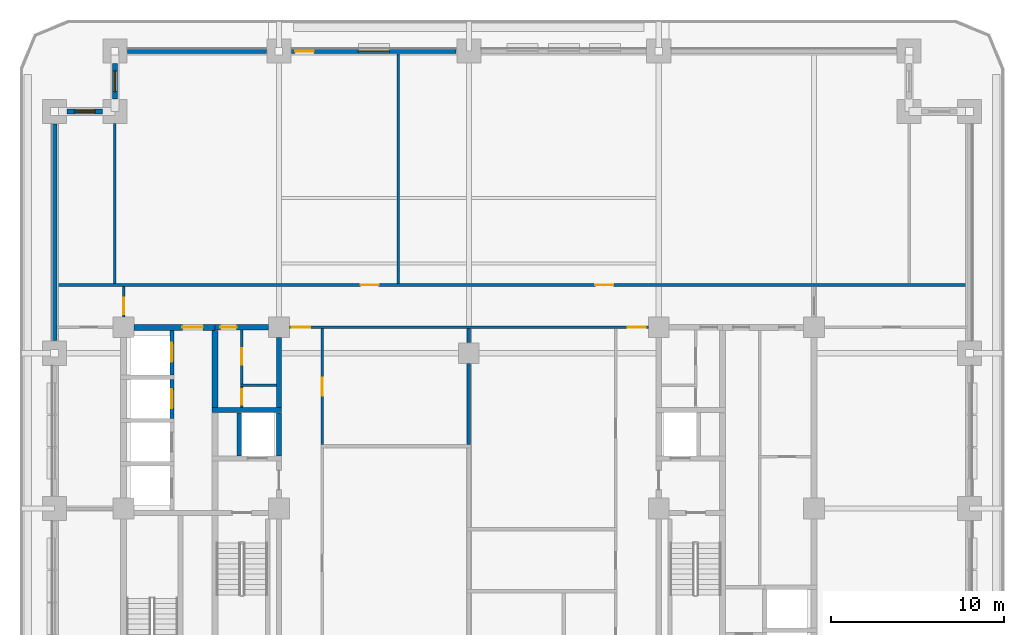
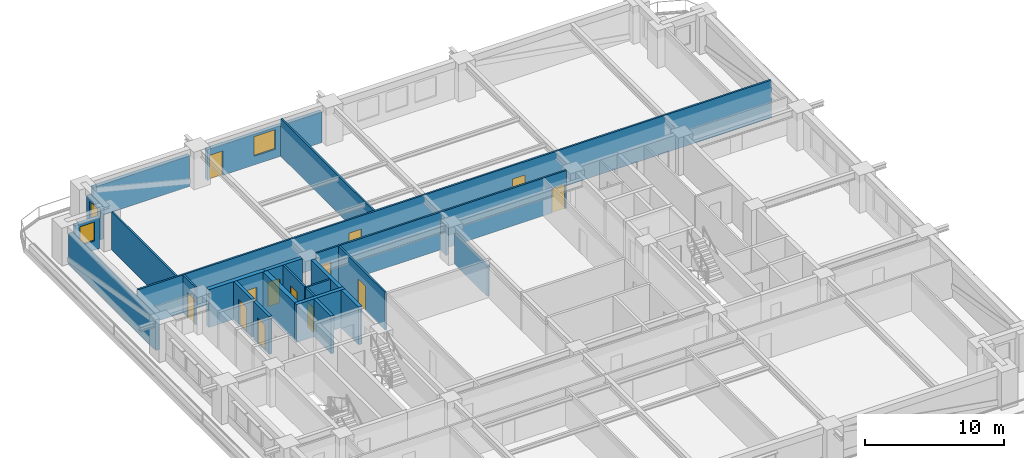
# One storey, part 5 of 14: 25 walls, 13 doors, 3 windows, 16 openings.
"""IFC4 building model written with IfcOpenShell, lengths in metres."""

from ifc_helpers import new_model, si_unit, direction, frame, frame_2d, origin, place, context, subcontext, project, spatial, rectangle, extrude, material, layer, layer_set, type_object, element, fill, save


model = new_model("IFC4")

# Units and contexts
model_context = context("Model", 3, precision=1e-05, world=origin(), true_north=direction((0.0, 1.0)))
body_context = subcontext(model_context, "Body", "Model", "MODEL_VIEW")
ifc_project = project(units=[si_unit("LENGTHUNIT", "METRE"), si_unit("AREAUNIT", "SQUARE_METRE"), si_unit("VOLUMEUNIT", "CUBIC_METRE"), si_unit("PLANEANGLEUNIT", "RADIAN"), si_unit("MASSUNIT", "GRAM", prefix="KILO")], contexts=[model_context])

# Site, building, storey
site_placement = place(None, origin())
site = spatial("IfcSite", under=ifc_project, at=site_placement, CompositionType="ELEMENT")
building_placement = place(site_placement, origin())
building = spatial("IfcBuilding", under=site, at=building_placement, Name="Zulmaris Gate Convention Tower", CompositionType="ELEMENT")
storey_placement = place(building_placement, frame((0.0, 0.0, 41.47998046875)))
storey = spatial("IfcBuildingStorey", under=building, at=storey_placement, Name="L09", CompositionType="ELEMENT", Elevation=41.47998046875)

# Wall, opening, door
ifc_material_1 = material(Name="Concrete C50/60", Category="concrete")
ifc_layer_1 = layer(ifc_material_1, 0.25, Name="Concrete C50/60")
ifc_layer_set_1 = layer_set([ifc_layer_1], Name="Concrete C50/60")
wall_type_1 = type_object("IfcWallType", Name="CORE-250", PredefinedType="SOLIDWALL", material=ifc_layer_set_1)
wall_1_placement = place(storey_placement, frame((-17.199951171875, 5.22705078125, 0.0), z_axis=(0.0, 0.0, 1.0), x_axis=(0.0, 1.0, 0.0)))
wall_1 = element("IfcWall", 1, at=wall_1_placement, inside=storey, type_object=wall_type_1, Name="WL-L09-044", PredefinedType="SOLIDWALL", context=body_context, shape_type="SweptSolid", body=[
    extrude(rectangle(XDim=2.245849609375, YDim=0.25, at=frame_2d((1.123046875, 0.0))), origin(), (0.0, 0.0, 1.0), 3.320068359375),
])
opening_1_placement = place(wall_1_placement, frame((0.572998046875, 0.0, 0.0)))
opening_1 = element("IfcOpeningElement", 2, at=opening_1_placement, cuts=wall_1, Name="Opening D-06", PredefinedType="OPENING", context=body_context, shape_type="SweptSolid", body=[
    extrude(rectangle(XDim=1.10009765625, YDim=2.199951171875, at=frame_2d((0.550048828125, 1.10009765625))), frame((0.0, 0.135009765625, 0.0), z_axis=(0.0, -1.0, 0.0), x_axis=(1.0, 0.0, 0.0)), (0.0, 0.0, 1.0), 0.27001953125),
])
ifc_material_2 = material(Name="Brushed Stainless Steel", Category="steel")
door_type_1 = type_object("IfcDoorType", Name="LD-1100", OperationType="NOTDEFINED", PredefinedType="DOOR", material=ifc_material_2)
door_1_placement = place(opening_1_placement, origin())
door_1 = element("IfcDoor", 3, at=door_1_placement, inside=storey, type_object=door_type_1, Name="L09 Lift Landing Door LP-03 17", OperationType="SLIDING_TO_LEFT", OverallHeight=2.199951171875, OverallWidth=1.10009765625, PredefinedType="DOOR", context=body_context, shape_type="SweptSolid", body=[
    extrude(rectangle(XDim=1.10009765625, YDim=2.199951171875, at=frame_2d((0.550048828125, 1.10009765625))), frame((0.0, 0.02490234375, 0.0), z_axis=(0.0, -1.0, 0.0), x_axis=(1.0, 0.0, 0.0)), (0.0, 0.0, 1.0), 0.050048828125),
])
fill(opening_1, door_1)

wall_2_placement = place(storey_placement, frame((-17.199951171875, 7.72705078125, 0.0), z_axis=(0.0, 0.0, 1.0), x_axis=(0.0, 1.0, 0.0)))
wall_2 = element("IfcWall", 4, at=wall_2_placement, inside=storey, type_object=wall_type_1, Name="WL-L09-045", PredefinedType="SOLIDWALL", context=body_context, shape_type="SweptSolid", body=[
    extrude(rectangle(XDim=2.595947265625, YDim=0.25, at=frame_2d((1.2978515625, 0.0))), origin(), (0.0, 0.0, 1.0), 3.320068359375),
])
opening_2_placement = place(wall_2_placement, frame((0.77294921875, 0.0, 0.0)))
opening_2 = element("IfcOpeningElement", 5, at=opening_2_placement, cuts=wall_2, Name="Opening D-06", PredefinedType="OPENING", context=body_context, shape_type="SweptSolid", body=[
    extrude(rectangle(XDim=1.10009765625, YDim=2.199951171875, at=frame_2d((0.550048828125, 1.10009765625))), frame((0.0, 0.135009765625, 0.0), z_axis=(0.0, -1.0, 0.0), x_axis=(1.0, 0.0, 0.0)), (0.0, 0.0, 1.0), 0.27001953125),
])
door_2_placement = place(opening_2_placement, origin())
door_2 = element("IfcDoor", 6, at=door_2_placement, inside=storey, type_object=door_type_1, Name="L09 Lift Landing Door LP-04 18", OperationType="SLIDING_TO_LEFT", OverallHeight=2.199951171875, OverallWidth=1.10009765625, PredefinedType="DOOR", context=body_context, shape_type="SweptSolid", body=[
    extrude(rectangle(XDim=1.10009765625, YDim=2.199951171875, at=frame_2d((0.550048828125, 1.10009765625))), frame((0.0, 0.02490234375, 0.0), z_axis=(0.0, -1.0, 0.0), x_axis=(1.0, 0.0, 0.0)), (0.0, 0.0, 1.0), 0.050048828125),
])
fill(opening_2, door_2)

# Walls
wall_3_placement = place(storey_placement, frame((-13.300048828125, 3.052001953125, 0.0), z_axis=(0.0, 0.0, 1.0), x_axis=(0.0, 1.0, 0.0)))
element("IfcWall", 7, at=wall_3_placement, inside=storey, type_object=wall_type_1, Name="WL-L09-051", PredefinedType="SOLIDWALL", context=body_context, shape_type="SweptSolid", body=[
    extrude(rectangle(XDim=2.49609375, YDim=0.25, at=frame_2d((1.248046875, 0.0))), origin(), (0.0, 0.0, 1.0), 3.320068359375),
])
ifc_layer_2 = layer(ifc_material_1, 0.300048828125, Name="Concrete C50/60")
ifc_layer_set_2 = layer_set([ifc_layer_2], Name="Concrete C50/60")
wall_type_2 = type_object("IfcWallType", Name="CORE-300", PredefinedType="SHEAR", material=ifc_layer_set_2)
wall_4_placement = place(storey_placement, frame((-14.875, 5.699951171875, 0.0), z_axis=(0.0, 0.0, 1.0), x_axis=(1.0, 0.0, 0.0)))
element("IfcWall", 8, at=wall_4_placement, inside=storey, type_object=wall_type_2, Name="WL-L09-013", PredefinedType="SHEAR", context=body_context, shape_type="SweptSolid", body=[
    extrude(rectangle(XDim=4.02490234375, YDim=0.300048828125, at=frame_2d((2.012451171875, 0.0))), origin(), (0.0, 0.0, 1.0), 3.320068359375),
])

# Wall, opening, door
wall_5_placement = place(storey_placement, frame((-14.699951171875, 10.5, 0.0), z_axis=(0.0, 0.0, 1.0), x_axis=(1.0, 0.0, 0.0)))
wall_5 = element("IfcWall", 9, at=wall_5_placement, inside=storey, type_object=wall_type_2, Name="WL-L09-017", PredefinedType="SHEAR", context=body_context, shape_type="SweptSolid", body=[
    extrude(rectangle(XDim=3.095947265625, YDim=0.300048828125, at=frame_2d((1.5478515625, 0.0))), origin(), (0.0, 0.0, 1.0), 3.320068359375),
])
opening_3_placement = place(wall_5_placement, frame((0.304931640625, 0.0, 0.0)))
opening_3 = element("IfcOpeningElement", 10, at=opening_3_placement, cuts=wall_5, Name="Opening D-11", PredefinedType="OPENING", context=body_context, shape_type="SweptSolid", body=[
    extrude(rectangle(XDim=0.949951171875, YDim=2.14990234375, at=frame_2d((0.47509765625, 1.074951171875))), frame((0.0, 0.16015625, 0.0), z_axis=(0.0, -1.0, 0.0), x_axis=(1.0, 0.0, 0.0)), (0.0, 0.0, 1.0), 0.320068359375),
])
ifc_material_3 = material(Name="Fire-Rated Timber", Category="wood")
door_type_2 = type_object("IfcDoorType", Name="DR-950-FD", OperationType="NOTDEFINED", PredefinedType="DOOR", material=ifc_material_3)
door_3_placement = place(opening_3_placement, origin())
door_3 = element("IfcDoor", 11, at=door_3_placement, inside=storey, type_object=door_type_2, Name="L09 Core West Passage Door 07", OperationType="SINGLE_SWING_RIGHT", OverallHeight=2.14990234375, OverallWidth=0.949951171875, PredefinedType="DOOR", context=body_context, shape_type="SweptSolid", body=[
    extrude(rectangle(XDim=0.949951171875, YDim=2.14990234375, at=frame_2d((0.47509765625, 1.074951171875))), frame((0.0, 0.02490234375, 0.0), z_axis=(0.0, -1.0, 0.0), x_axis=(1.0, 0.0, 0.0)), (0.0, 0.0, 1.0), 0.050048828125),
])
fill(opening_3, door_3)

# Walls
wall_6_placement = place(storey_placement, frame((-11.0, 3.052001953125, 0.0), z_axis=(0.0, 0.0, 1.0), x_axis=(0.0, 1.0, 0.0)))
element("IfcWall", 12, at=wall_6_placement, inside=storey, type_object=wall_type_2, Name="WL-L09-055", PredefinedType="SHEAR", context=body_context, shape_type="SweptSolid", body=[
    extrude(rectangle(XDim=2.49609375, YDim=0.300048828125, at=frame_2d((1.248046875, 0.0))), origin(), (0.0, 0.0, 1.0), 3.320068359375),
])
wall_7_placement = place(storey_placement, frame((-11.0, 5.85205078125, 0.0), z_axis=(0.0, 0.0, 1.0), x_axis=(0.0, 1.0, 0.0)))
element("IfcWall", 13, at=wall_7_placement, inside=storey, type_object=wall_type_2, Name="WL-L09-056", PredefinedType="SHEAR", context=body_context, shape_type="SweptSolid", body=[
    extrude(rectangle(XDim=4.0439453125, YDim=0.300048828125, at=frame_2d((2.02197265625, 0.0))), origin(), (0.0, 0.0, 1.0), 3.320068359375),
])

# Wall, opening, door
ifc_material_4 = material(Name="Concrete C55/67", Category="concrete")
ifc_layer_3 = layer(ifc_material_4, 0.35009765625, Name="Concrete C55/67")
ifc_layer_set_3 = layer_set([ifc_layer_3], Name="Concrete C55/67")
wall_type_3 = type_object("IfcWallType", Name="CORE-350", PredefinedType="SHEAR", material=ifc_layer_set_3)
wall_8_placement = place(storey_placement, frame((-19.39599609375, 10.5, 0.0), z_axis=(0.0, 0.0, 1.0), x_axis=(1.0, 0.0, 0.0)))
wall_8 = element("IfcWall", 14, at=wall_8_placement, inside=storey, type_object=wall_type_3, Name="WL-L09-016", PredefinedType="SHEAR", context=body_context, shape_type="SweptSolid", body=[
    extrude(rectangle(XDim=4.696044921875, YDim=0.35009765625, at=frame_2d((2.34814453125, 0.0))), origin(), (0.0, 0.0, 1.0), 3.320068359375),
])
opening_4_placement = place(wall_8_placement, frame((2.7958984375, 0.0, 0.0)))
opening_4 = element("IfcOpeningElement", 15, at=opening_4_placement, cuts=wall_8, Name="Opening D-13", PredefinedType="OPENING", context=body_context, shape_type="SweptSolid", body=[
    extrude(rectangle(XDim=1.199951171875, YDim=2.14990234375, at=frame_2d((0.60009765625, 1.074951171875))), frame((0.0, 0.18505859375, 0.0), z_axis=(0.0, -1.0, 0.0), x_axis=(1.0, 0.0, 0.0)), (0.0, 0.0, 1.0), 0.3701171875),
])
ifc_material_5 = material(Name="Fire-Rated Steel", Category="steel")
door_type_3 = type_object("IfcDoorType", Name="DR-1200-FD", OperationType="NOTDEFINED", PredefinedType="DOOR", material=ifc_material_5)
door_4_placement = place(opening_4_placement, origin())
door_4 = element("IfcDoor", 16, at=door_4_placement, inside=storey, type_object=door_type_3, Name="L09 Low-Rise Lift Lobby Door 14", OperationType="SINGLE_SWING_LEFT", OverallHeight=2.14990234375, OverallWidth=1.199951171875, PredefinedType="DOOR", context=body_context, shape_type="SweptSolid", body=[
    extrude(rectangle(XDim=1.199951171875, YDim=2.14990234375, at=frame_2d((0.60009765625, 1.074951171875))), frame((0.0, 0.02490234375, 0.0), z_axis=(0.0, -1.0, 0.0), x_axis=(1.0, 0.0, 0.0)), (0.0, 0.0, 1.0), 0.050048828125),
])
fill(opening_4, door_4)

# Walls
wall_9_placement = place(storey_placement, frame((-14.699951171875, 5.85205078125, 0.0), z_axis=(0.0, 0.0, 1.0), x_axis=(0.0, 1.0, 0.0)))
element("IfcWall", 17, at=wall_9_placement, inside=storey, type_object=wall_type_3, Name="WL-L09-050", PredefinedType="SHEAR", context=body_context, shape_type="SweptSolid", body=[
    extrude(rectangle(XDim=4.470947265625, YDim=0.35009765625, at=frame_2d((2.2353515625, 0.0))), origin(), (0.0, 0.0, 1.0), 3.320068359375),
])
ifc_material_6 = material(Name="Gypsum Metal Stud Partition")
ifc_layer_4 = layer(ifc_material_6, 0.14990234375, Name="Gypsum Metal Stud Partition")
ifc_layer_set_4 = layer_set([ifc_layer_4], Name="Gypsum Metal Stud Partition")
wall_type_4 = type_object("IfcWallType", Name="PART-150", PredefinedType="PARTITIONING", material=ifc_layer_set_4)
wall_10_placement = place(storey_placement, frame((-13.22509765625, 7.14990234375, 0.0), z_axis=(0.0, 0.0, 1.0), x_axis=(1.0, 0.0, 0.0)))
element("IfcWall", 18, at=wall_10_placement, inside=storey, type_object=wall_type_4, Name="WL-L09-031", PredefinedType="PARTITIONING", context=body_context, shape_type="SweptSolid", body=[
    extrude(rectangle(XDim=2.072021484375, YDim=0.14990234375, at=frame_2d((1.0361328125, 0.0))), origin(), (0.0, 0.0, 1.0), 3.320068359375),
])

# Wall, openings, doors
wall_11_placement = place(storey_placement, frame((-10.39404296875, 10.5, 0.0), z_axis=(0.0, 0.0, 1.0), x_axis=(1.0, 0.0, 0.0)))
wall_11 = element("IfcWall", 19, at=wall_11_placement, inside=storey, type_object=wall_type_4, Name="WL-L09-034", PredefinedType="PARTITIONING", context=body_context, shape_type="SweptSolid", body=[
    extrude(rectangle(XDim=20.7880859375, YDim=0.14990234375, at=frame_2d((10.39404296875, 0.0))), origin(), (0.0, 0.0, 1.0), 3.320068359375),
])
opening_5_placement = place(wall_11_placement, frame((0.14990234375, 0.0, 0.0)))
opening_5 = element("IfcOpeningElement", 20, at=opening_5_placement, cuts=wall_11, Name="Opening D-09", PredefinedType="OPENING", context=body_context, shape_type="SweptSolid", body=[
    extrude(rectangle(XDim=1.050048828125, YDim=2.14990234375, at=frame_2d((0.52490234375, 1.074951171875))), frame((0.0, 0.0849609375, 0.0), z_axis=(0.0, -1.0, 0.0), x_axis=(1.0, 0.0, 0.0)), (0.0, 0.0, 1.0), 0.169921875),
])
opening_6_placement = place(wall_11_placement, frame((19.587890625, 0.0, 0.0)))
opening_6 = element("IfcOpeningElement", 21, at=opening_6_placement, cuts=wall_11, Name="Opening D-09", PredefinedType="OPENING", context=body_context, shape_type="SweptSolid", body=[
    extrude(rectangle(XDim=1.050048828125, YDim=2.14990234375, at=frame_2d((0.52490234375, 1.074951171875))), frame((0.0, 0.0849609375, 0.0), z_axis=(0.0, -1.0, 0.0), x_axis=(1.0, 0.0, 0.0)), (0.0, 0.0, 1.0), 0.169921875),
])
door_type_4 = type_object("IfcDoorType", Name="DR-1050-FD", OperationType="NOTDEFINED", PredefinedType="DOOR", material=ifc_material_5)
door_5_placement = place(opening_5_placement, origin())
door_5 = element("IfcDoor", 22, at=door_5_placement, inside=storey, type_object=door_type_4, Name="L09 NW Spine Link Door 24", OperationType="SINGLE_SWING_LEFT", OverallHeight=2.14990234375, OverallWidth=1.050048828125, PredefinedType="DOOR", context=body_context, shape_type="SweptSolid", body=[
    extrude(rectangle(XDim=1.050048828125, YDim=2.14990234375, at=frame_2d((0.52490234375, 1.074951171875))), frame((0.0, 0.02490234375, 0.0), z_axis=(0.0, -1.0, 0.0), x_axis=(1.0, 0.0, 0.0)), (0.0, 0.0, 1.0), 0.050048828125),
])
fill(opening_5, door_5)
door_6_placement = place(opening_6_placement, origin())
door_6 = element("IfcDoor", 23, at=door_6_placement, inside=storey, type_object=door_type_4, Name="L09 NE Spine Link Door 26", OperationType="SINGLE_SWING_LEFT", OverallHeight=2.14990234375, OverallWidth=1.050048828125, PredefinedType="DOOR", context=body_context, shape_type="SweptSolid", body=[
    extrude(rectangle(XDim=1.050048828125, YDim=2.14990234375, at=frame_2d((0.52490234375, 1.074951171875))), frame((0.0, 0.02490234375, 0.0), z_axis=(0.0, -1.0, 0.0), x_axis=(1.0, 0.0, 0.0)), (0.0, 0.0, 1.0), 0.050048828125),
])
fill(opening_6, door_6)

wall_12_placement = place(storey_placement, frame((-23.8349609375, 12.949951171875, 0.0), z_axis=(0.0, 0.0, 1.0), x_axis=(1.0, 0.0, 0.0)))
wall_12 = element("IfcWall", 24, at=wall_12_placement, inside=storey, type_object=wall_type_4, Name="WL-L09-036", PredefinedType="PARTITIONING", context=body_context, shape_type="SweptSolid", body=[
    extrude(rectangle(XDim=52.669921875, YDim=0.14990234375, at=frame_2d((26.3349609375, 0.0))), origin(), (0.0, 0.0, 1.0), 3.320068359375),
])
opening_7_placement = place(wall_12_placement, frame((17.56005859375, 0.0, 0.0)))
opening_7 = element("IfcOpeningElement", 25, at=opening_7_placement, cuts=wall_12, Name="Opening D-09", PredefinedType="OPENING", context=body_context, shape_type="SweptSolid", body=[
    extrude(rectangle(XDim=1.050048828125, YDim=2.14990234375, at=frame_2d((0.52490234375, 1.074951171875))), frame((0.0, 0.0849609375, 0.0), z_axis=(0.0, -1.0, 0.0), x_axis=(1.0, 0.0, 0.0)), (0.0, 0.0, 1.0), 0.169921875),
])
opening_8_placement = place(wall_12_placement, frame((31.159912109375, 0.0, 0.0)))
opening_8 = element("IfcOpeningElement", 26, at=opening_8_placement, cuts=wall_12, Name="Opening D-09", PredefinedType="OPENING", context=body_context, shape_type="SweptSolid", body=[
    extrude(rectangle(XDim=1.050048828125, YDim=2.14990234375, at=frame_2d((0.52490234375, 1.074951171875))), frame((0.0, 0.0849609375, 0.0), z_axis=(0.0, -1.0, 0.0), x_axis=(1.0, 0.0, 0.0)), (0.0, 0.0, 1.0), 0.169921875),
])
door_7_placement = place(opening_7_placement, origin())
door_7 = element("IfcDoor", 27, at=door_7_placement, inside=storey, type_object=door_type_4, Name="L09 Research Reading Room Door 28", OperationType="SINGLE_SWING_LEFT", OverallHeight=2.14990234375, OverallWidth=1.050048828125, PredefinedType="DOOR", context=body_context, shape_type="SweptSolid", body=[
    extrude(rectangle(XDim=1.050048828125, YDim=2.14990234375, at=frame_2d((0.52490234375, 1.074951171875))), frame((0.0, 0.02490234375, 0.0), z_axis=(0.0, -1.0, 0.0), x_axis=(1.0, 0.0, 0.0)), (0.0, 0.0, 1.0), 0.050048828125),
])
fill(opening_7, door_7)
door_8_placement = place(opening_8_placement, origin())
door_8 = element("IfcDoor", 28, at=door_8_placement, inside=storey, type_object=door_type_4, Name="L09 Quiet Focus Study Door 29", OperationType="SINGLE_SWING_RIGHT", OverallHeight=2.14990234375, OverallWidth=1.050048828125, PredefinedType="DOOR", context=body_context, shape_type="SweptSolid", body=[
    extrude(rectangle(XDim=1.050048828125, YDim=2.14990234375, at=frame_2d((0.52490234375, 1.074951171875))), frame((0.0, 0.02490234375, 0.0), z_axis=(0.0, -1.0, 0.0), x_axis=(1.0, 0.0, 0.0)), (0.0, 0.0, 1.0), 0.050048828125),
])
fill(opening_8, door_8)

# Wall
wall_13_placement = place(storey_placement, frame((-20.5, 13.028076171875, 0.0), z_axis=(0.0, 0.0, 1.0), x_axis=(0.0, 1.0, 0.0)))
element("IfcWall", 29, at=wall_13_placement, inside=storey, type_object=wall_type_4, Name="WL-L09-073", PredefinedType="PARTITIONING", context=body_context, shape_type="SweptSolid", body=[
    extrude(rectangle(XDim=9.265869140625, YDim=0.14990234375, at=frame_2d((4.6328125, 0.0))), origin(), (0.0, 0.0, 1.0), 3.320068359375),
])

# Wall, opening, door
wall_14_placement = place(storey_placement, frame((-20.0, 11.10595703125, 0.0), z_axis=(0.0, 0.0, 1.0), x_axis=(0.0, 1.0, 0.0)))
wall_14 = element("IfcWall", 30, at=wall_14_placement, inside=storey, type_object=wall_type_4, Name="WL-L09-075", PredefinedType="PARTITIONING", context=body_context, shape_type="SweptSolid", body=[
    extrude(rectangle(XDim=1.76611328125, YDim=0.14990234375, at=frame_2d((0.883056640625, 0.0))), origin(), (0.0, 0.0, 1.0), 3.320068359375),
])
opening_9_placement = place(wall_14_placement, frame((0.14990234375, 0.0, 0.0)))
opening_9 = element("IfcOpeningElement", 31, at=opening_9_placement, cuts=wall_14, Name="Opening D-11", PredefinedType="OPENING", context=body_context, shape_type="SweptSolid", body=[
    extrude(rectangle(XDim=0.949951171875, YDim=2.14990234375, at=frame_2d((0.47509765625, 1.074951171875))), frame((0.0, 0.0849609375, 0.0), z_axis=(0.0, -1.0, 0.0), x_axis=(1.0, 0.0, 0.0)), (0.0, 0.0, 1.0), 0.169921875),
])
door_9_placement = place(opening_9_placement, origin())
door_9 = element("IfcDoor", 32, at=door_9_placement, inside=storey, type_object=door_type_2, Name="L09 NW Spur Door 40", OperationType="SINGLE_SWING_LEFT", OverallHeight=2.14990234375, OverallWidth=0.949951171875, PredefinedType="DOOR", context=body_context, shape_type="SweptSolid", body=[
    extrude(rectangle(XDim=0.949951171875, YDim=2.14990234375, at=frame_2d((0.47509765625, 1.074951171875))), frame((0.0, 0.02490234375, 0.0), z_axis=(0.0, -1.0, 0.0), x_axis=(1.0, 0.0, 0.0)), (0.0, 0.0, 1.0), 0.050048828125),
])
fill(opening_9, door_9)

wall_15_placement = place(storey_placement, frame((-13.14990234375, 5.85302734375, 0.0), z_axis=(0.0, 0.0, 1.0), x_axis=(0.0, 1.0, 0.0)))
wall_15 = element("IfcWall", 33, at=wall_15_placement, inside=storey, type_object=wall_type_4, Name="WL-L09-076", PredefinedType="PARTITIONING", context=body_context, shape_type="SweptSolid", body=[
    extrude(rectangle(XDim=1.218994140625, YDim=0.14990234375, at=frame_2d((0.609375, 0.0))), origin(), (0.0, 0.0, 1.0), 3.320068359375),
])
opening_10_placement = place(wall_15_placement, frame((0.1689453125, 0.0, 0.0)))
opening_10 = element("IfcOpeningElement", 34, at=opening_10_placement, cuts=wall_15, Name="Opening D-12", PredefinedType="OPENING", context=body_context, shape_type="SweptSolid", body=[
    extrude(rectangle(XDim=0.89990234375, YDim=2.14990234375, at=frame_2d((0.449951171875, 1.074951171875))), frame((0.0, 0.0849609375, 0.0), z_axis=(0.0, -1.0, 0.0), x_axis=(1.0, 0.0, 0.0)), (0.0, 0.0, 1.0), 0.169921875),
])
door_type_5 = type_object("IfcDoorType", Name="DR-900-FD", OperationType="NOTDEFINED", PredefinedType="DOOR", material=ifc_material_3)
door_10_placement = place(opening_10_placement, origin())
door_10 = element("IfcDoor", 35, at=door_10_placement, inside=storey, type_object=door_type_5, Name="L09 Stationery Closet Door 08", OperationType="SINGLE_SWING_LEFT", OverallHeight=2.14990234375, OverallWidth=0.89990234375, PredefinedType="DOOR", context=body_context, shape_type="SweptSolid", body=[
    extrude(rectangle(XDim=0.89990234375, YDim=2.14990234375, at=frame_2d((0.449951171875, 1.074951171875))), frame((0.0, 0.02490234375, 0.0), z_axis=(0.0, -1.0, 0.0), x_axis=(1.0, 0.0, 0.0)), (0.0, 0.0, 1.0), 0.050048828125),
])
fill(opening_10, door_10)

wall_16_placement = place(storey_placement, frame((-13.14990234375, 7.22802734375, 0.0), z_axis=(0.0, 0.0, 1.0), x_axis=(0.0, 1.0, 0.0)))
wall_16 = element("IfcWall", 36, at=wall_16_placement, inside=storey, type_object=wall_type_4, Name="WL-L09-077", PredefinedType="PARTITIONING", context=body_context, shape_type="SweptSolid", body=[
    extrude(rectangle(XDim=3.118896484375, YDim=0.14990234375, at=frame_2d((1.5595703125, 0.0))), origin(), (0.0, 0.0, 1.0), 3.320068359375),
])
opening_11_placement = place(wall_16_placement, frame((1.096923828125, 0.0, 0.0)))
opening_11 = element("IfcOpeningElement", 37, at=opening_11_placement, cuts=wall_16, Name="Opening D-11", PredefinedType="OPENING", context=body_context, shape_type="SweptSolid", body=[
    extrude(rectangle(XDim=0.949951171875, YDim=2.14990234375, at=frame_2d((0.47509765625, 1.074951171875))), frame((0.0, 0.0849609375, 0.0), z_axis=(0.0, -1.0, 0.0), x_axis=(1.0, 0.0, 0.0)), (0.0, 0.0, 1.0), 0.169921875),
])
door_11_placement = place(opening_11_placement, origin())
door_11 = element("IfcDoor", 38, at=door_11_placement, inside=storey, type_object=door_type_2, Name="L09 Meter Closet Door 09", OperationType="SINGLE_SWING_RIGHT", OverallHeight=2.14990234375, OverallWidth=0.949951171875, PredefinedType="DOOR", context=body_context, shape_type="SweptSolid", body=[
    extrude(rectangle(XDim=0.949951171875, YDim=2.14990234375, at=frame_2d((0.47509765625, 1.074951171875))), frame((0.0, 0.02490234375, 0.0), z_axis=(0.0, -1.0, 0.0), x_axis=(1.0, 0.0, 0.0)), (0.0, 0.0, 1.0), 0.050048828125),
])
fill(opening_11, door_11)

wall_17_placement = place(storey_placement, frame((-8.5, 3.702880859375, 0.0), z_axis=(0.0, 0.0, 1.0), x_axis=(0.0, 1.0, 0.0)))
wall_17 = element("IfcWall", 39, at=wall_17_placement, inside=storey, type_object=wall_type_4, Name="WL-L09-080", PredefinedType="PARTITIONING", context=body_context, shape_type="SweptSolid", body=[
    extrude(rectangle(XDim=6.71923828125, YDim=0.14990234375, at=frame_2d((3.359619140625, 0.0))), origin(), (0.0, 0.0, 1.0), 3.320068359375),
])
opening_12_placement = place(wall_17_placement, frame((2.822021484375, 0.0, 0.0)))
opening_12 = element("IfcOpeningElement", 40, at=opening_12_placement, cuts=wall_17, Name="Opening D-09", PredefinedType="OPENING", context=body_context, shape_type="SweptSolid", body=[
    extrude(rectangle(XDim=1.050048828125, YDim=2.14990234375, at=frame_2d((0.52490234375, 1.074951171875))), frame((0.0, 0.0849609375, 0.0), z_axis=(0.0, -1.0, 0.0), x_axis=(1.0, 0.0, 0.0)), (0.0, 0.0, 1.0), 0.169921875),
])
door_12_placement = place(opening_12_placement, origin())
door_12 = element("IfcDoor", 41, at=door_12_placement, inside=storey, type_object=door_type_4, Name="L09 Boardroom Door 34", OperationType="SINGLE_SWING_LEFT", OverallHeight=2.14990234375, OverallWidth=1.050048828125, PredefinedType="DOOR", context=body_context, shape_type="SweptSolid", body=[
    extrude(rectangle(XDim=1.050048828125, YDim=2.14990234375, at=frame_2d((0.52490234375, 1.074951171875))), frame((0.0, 0.02490234375, 0.0), z_axis=(0.0, -1.0, 0.0), x_axis=(1.0, 0.0, 0.0)), (0.0, 0.0, 1.0), 0.050048828125),
])
fill(opening_12, door_12)

# Walls
wall_18_placement = place(storey_placement, frame((-4.10009765625, 13.028076171875, 0.0), z_axis=(0.0, 0.0, 1.0), x_axis=(0.0, 1.0, 0.0)))
element("IfcWall", 42, at=wall_18_placement, inside=storey, type_object=wall_type_4, Name="WL-L09-081", PredefinedType="PARTITIONING", context=body_context, shape_type="SweptSolid", body=[
    extrude(rectangle(XDim=13.306884765625, YDim=0.14990234375, at=frame_2d((6.6533203125, 0.0))), origin(), (0.0, 0.0, 1.0), 3.320068359375),
])
ifc_material_7 = material(Name="Autoclaved Aerated Concrete Block and Plasterboard", Category="concrete")
ifc_layer_5 = layer(ifc_material_7, 0.199951171875, Name="Autoclaved Aerated Concrete Block and Plasterboard")
ifc_layer_set_5 = layer_set([ifc_layer_5], Name="Autoclaved Aerated Concrete Block and Plasterboard")
wall_type_5 = type_object("IfcWallType", Name="PART-200", PredefinedType="PARTITIONING", material=ifc_layer_set_5)
wall_19_placement = place(storey_placement, frame((0.0, 3.702880859375, 0.0), z_axis=(0.0, 0.0, 1.0), x_axis=(0.0, 1.0, 0.0)))
element("IfcWall", 43, at=wall_19_placement, inside=storey, type_object=wall_type_5, Name="WL-L09-086", PredefinedType="PARTITIONING", context=body_context, shape_type="SweptSolid", body=[
    extrude(rectangle(XDim=4.691162109375, YDim=0.199951171875, at=frame_2d((2.345703125, 0.0))), origin(), (0.0, 0.0, 1.0), 2.659912109375),
])
wall_20_placement = place(storey_placement, frame((0.0, 9.60595703125, 0.0), z_axis=(0.0, 0.0, 1.0), x_axis=(0.0, 1.0, 0.0)))
element("IfcWall", 44, at=wall_20_placement, inside=storey, type_object=wall_type_5, Name="WL-L09-086S1", PredefinedType="PARTITIONING", context=body_context, shape_type="SweptSolid", body=[
    extrude(rectangle(XDim=0.816162109375, YDim=0.199951171875, at=frame_2d((0.408203125, 0.0))), origin(), (0.0, 0.0, 1.0), 2.659912109375),
])

# Wall, opening, window
ifc_material_8 = material(Name="Precast concrete C40/50", Category="concrete")
ifc_layer_6 = layer(ifc_material_8, 0.300048828125, Name="Precast concrete C40/50")
ifc_layer_set_6 = layer_set([ifc_layer_6], Name="Precast concrete C40/50")
wall_type_6 = type_object("IfcWallType", Name="PRECAST-PIER-300", PredefinedType="STANDARD", material=ifc_layer_set_6)
wall_21_placement = place(storey_placement, frame((-20.5, 25.77001953125, 0.0), z_axis=(0.0, 0.0, 1.0), x_axis=(0.0, -1.0, 0.0)))
wall_21 = element("IfcWall", 45, at=wall_21_placement, inside=storey, type_object=wall_type_6, Name="EW-L09-NOTCH-NW1_0", PredefinedType="STANDARD", context=body_context, shape_type="SweptSolid", body=[
    extrude(rectangle(XDim=2.0400390625, YDim=0.300048828125, at=frame_2d((1.02001953125, 0.0))), origin(), (0.0, 0.0, 1.0), 2.7119140625),
])
opening_13_placement = place(wall_21_placement, frame((0.419921875, 0.0, 0.820068359375)))
opening_13 = element("IfcOpeningElement", 46, at=opening_13_placement, cuts=wall_21, Name="Opening W-04", PredefinedType="OPENING", context=body_context, shape_type="SweptSolid", body=[
    extrude(rectangle(XDim=1.199951171875, YDim=1.64990234375, at=frame_2d((0.60009765625, 0.824951171875))), frame((0.0, 0.16015625, 0.0), z_axis=(0.0, -1.0, 0.0), x_axis=(1.0, 0.0, 0.0)), (0.0, 0.0, 1.0), 0.320068359375),
])
ifc_material_9 = material(Name="Low-E Laminated Double Glazing in Aluminium Frame", Category="aluminium")
window_type_1 = type_object("IfcWindowType", Name="WIN-1200x2100", PartitioningType="SINGLE_PANEL", PredefinedType="WINDOW", material=ifc_material_9)
window_1_placement = place(opening_13_placement, origin())
window_1 = element("IfcWindow", 47, at=window_1_placement, inside=storey, type_object=window_type_1, Name="WN-EW-L09-NOTCH-NW1_0", OverallHeight=1.64990234375, OverallWidth=1.199951171875, PartitioningType="SINGLE_PANEL", PredefinedType="WINDOW", context=body_context, shape_type="SweptSolid", body=[
    extrude(rectangle(XDim=1.199951171875, YDim=1.64990234375, at=frame_2d((0.60009765625, 0.824951171875))), frame((0.0, 0.030029296875, 0.0), z_axis=(0.0, -1.0, 0.0), x_axis=(1.0, 0.0, 0.0)), (0.0, 0.0, 1.0), 0.06005859375),
])
fill(opening_13, window_1)

wall_22_placement = place(storey_placement, frame((-21.22998046875, 23.0, 0.0), z_axis=(0.0, 0.0, 1.0), x_axis=(-1.0, 0.0, 0.0)))
wall_22 = element("IfcWall", 48, at=wall_22_placement, inside=storey, type_object=wall_type_6, Name="EW-L09-NOTCH-NW2_0", PredefinedType="STANDARD", context=body_context, shape_type="SweptSolid", body=[
    extrude(rectangle(XDim=2.0400390625, YDim=0.300048828125, at=frame_2d((1.02001953125, 0.0))), origin(), (0.0, 0.0, 1.0), 2.7119140625),
])
opening_14_placement = place(wall_22_placement, frame((0.419921875, 0.0, 0.820068359375)))
opening_14 = element("IfcOpeningElement", 49, at=opening_14_placement, cuts=wall_22, Name="Opening W-04", PredefinedType="OPENING", context=body_context, shape_type="SweptSolid", body=[
    extrude(rectangle(XDim=1.199951171875, YDim=1.64990234375, at=frame_2d((0.60009765625, 0.824951171875))), frame((0.0, 0.16015625, 0.0), z_axis=(0.0, -1.0, 0.0), x_axis=(1.0, 0.0, 0.0)), (0.0, 0.0, 1.0), 0.320068359375),
])
window_2_placement = place(opening_14_placement, origin())
window_2 = element("IfcWindow", 50, at=window_2_placement, inside=storey, type_object=window_type_1, Name="WN-EW-L09-NOTCH-NW2_0", OverallHeight=1.64990234375, OverallWidth=1.199951171875, PartitioningType="SINGLE_PANEL", PredefinedType="WINDOW", context=body_context, shape_type="SweptSolid", body=[
    extrude(rectangle(XDim=1.199951171875, YDim=1.64990234375, at=frame_2d((0.60009765625, 0.824951171875))), frame((0.0, 0.030029296875, 0.0), z_axis=(0.0, -1.0, 0.0), x_axis=(1.0, 0.0, 0.0)), (0.0, 0.0, 1.0), 0.06005859375),
])
fill(opening_14, window_2)

# Wall
wall_23_placement = place(storey_placement, frame((-11.72998046875, 26.5, 0.0), z_axis=(0.0, 0.0, 1.0), x_axis=(-1.0, 0.0, 0.0)))
element("IfcWall", 51, at=wall_23_placement, inside=storey, type_object=wall_type_6, Name="EW-L09-N-0_0", PredefinedType="STANDARD", context=body_context, shape_type="SweptSolid", body=[
    extrude(rectangle(XDim=8.0400390625, YDim=0.300048828125, at=frame_2d((4.02001953125, 0.0))), origin(), (0.0, 0.0, 1.0), 2.7119140625),
])

# Wall, openings, door, window
wall_24_placement = place(storey_placement, frame((-0.72998046875, 26.5, 0.0), z_axis=(0.0, 0.0, 1.0), x_axis=(-1.0, 0.0, 0.0)))
wall_24 = element("IfcWall", 52, at=wall_24_placement, inside=storey, type_object=wall_type_6, Name="EW-L09-N-1_0", PredefinedType="STANDARD", context=body_context, shape_type="SweptSolid", body=[
    extrude(rectangle(XDim=9.5400390625, YDim=0.300048828125, at=frame_2d((4.77001953125, 0.0))), origin(), (0.0, 0.0, 1.0), 2.7119140625),
])
opening_15_placement = place(wall_24_placement, frame((8.239990234375, 0.0, 0.0)))
opening_15 = element("IfcOpeningElement", 53, at=opening_15_placement, cuts=wall_24, Name="Opening D-04", PredefinedType="OPENING", context=body_context, shape_type="SweptSolid", body=[
    extrude(rectangle(XDim=1.10009765625, YDim=2.14990234375, at=frame_2d((0.550048828125, 1.074951171875))), frame((0.0, 0.16015625, 0.0), z_axis=(0.0, -1.0, 0.0), x_axis=(1.0, 0.0, 0.0)), (0.0, 0.0, 1.0), 0.320068359375),
])
opening_16_placement = place(wall_24_placement, frame((3.8701171875, 0.0, 0.780029296875)))
opening_16 = element("IfcOpeningElement", 54, at=opening_16_placement, cuts=wall_24, Name="Opening W-02", PredefinedType="OPENING", context=body_context, shape_type="SweptSolid", body=[
    extrude(rectangle(XDim=1.800048828125, YDim=1.719970703125, at=frame_2d((0.89990234375, 0.85986328125))), frame((0.0, 0.16015625, 0.0), z_axis=(0.0, -1.0, 0.0), x_axis=(1.0, 0.0, 0.0)), (0.0, 0.0, 1.0), 0.320068359375),
])
ifc_material_10 = material(Name="Anodised Aluminium and Laminated Glass", Category="aluminium")
door_type_6 = type_object("IfcDoorType", Name="ED-1100", OperationType="SINGLE_SWING_RIGHT", PredefinedType="DOOR", material=ifc_material_10)
door_13_placement = place(opening_15_placement, origin())
door_13 = element("IfcDoor", 55, at=door_13_placement, inside=storey, type_object=door_type_6, Name="L09 N Planted Terrace Door", OperationType="SINGLE_SWING_LEFT", OverallHeight=2.14990234375, OverallWidth=1.10009765625, PredefinedType="DOOR", context=body_context, shape_type="SweptSolid", body=[
    extrude(rectangle(XDim=1.10009765625, YDim=2.14990234375, at=frame_2d((0.550048828125, 1.074951171875))), frame((0.0, 0.02490234375, 0.0), z_axis=(0.0, -1.0, 0.0), x_axis=(1.0, 0.0, 0.0)), (0.0, 0.0, 1.0), 0.050048828125),
])
fill(opening_15, door_13)
window_type_2 = type_object("IfcWindowType", Name="WIN-1800x2200", PartitioningType="SINGLE_PANEL", PredefinedType="WINDOW", material=ifc_material_9)
window_3_placement = place(opening_16_placement, origin())
window_3 = element("IfcWindow", 56, at=window_3_placement, inside=storey, type_object=window_type_2, Name="WN-EW-L09-N-1_0-2", OverallHeight=1.719970703125, OverallWidth=1.800048828125, PartitioningType="SINGLE_PANEL", PredefinedType="WINDOW", context=body_context, shape_type="SweptSolid", body=[
    extrude(rectangle(XDim=1.800048828125, YDim=1.719970703125, at=frame_2d((0.89990234375, 0.85986328125))), frame((0.0, 0.030029296875, 0.0), z_axis=(0.0, -1.0, 0.0), x_axis=(1.0, 0.0, 0.0)), (0.0, 0.0, 1.0), 0.06005859375),
])
fill(opening_16, window_3)

# Wall
wall_25_placement = place(storey_placement, frame((-24.0, 22.27001953125, 0.0), z_axis=(0.0, 0.0, 1.0), x_axis=(0.0, -1.0, 0.0)))
element("IfcWall", 57, at=wall_25_placement, inside=storey, type_object=wall_type_6, Name="EW-L09-W-3_0", PredefinedType="STANDARD", context=body_context, shape_type="SweptSolid", body=[
    extrude(rectangle(XDim=12.5400390625, YDim=0.300048828125, at=frame_2d((6.27001953125, 0.0))), origin(), (0.0, 0.0, 1.0), 2.7119140625),
])

save(model, "model.ifc")
